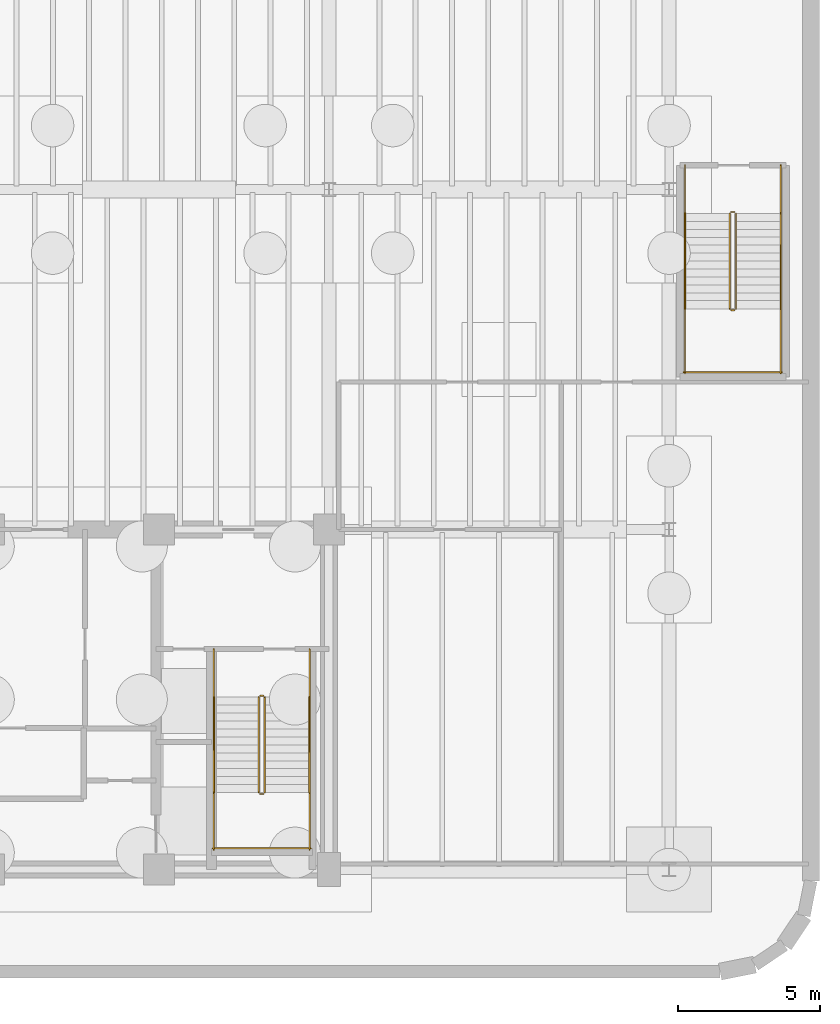
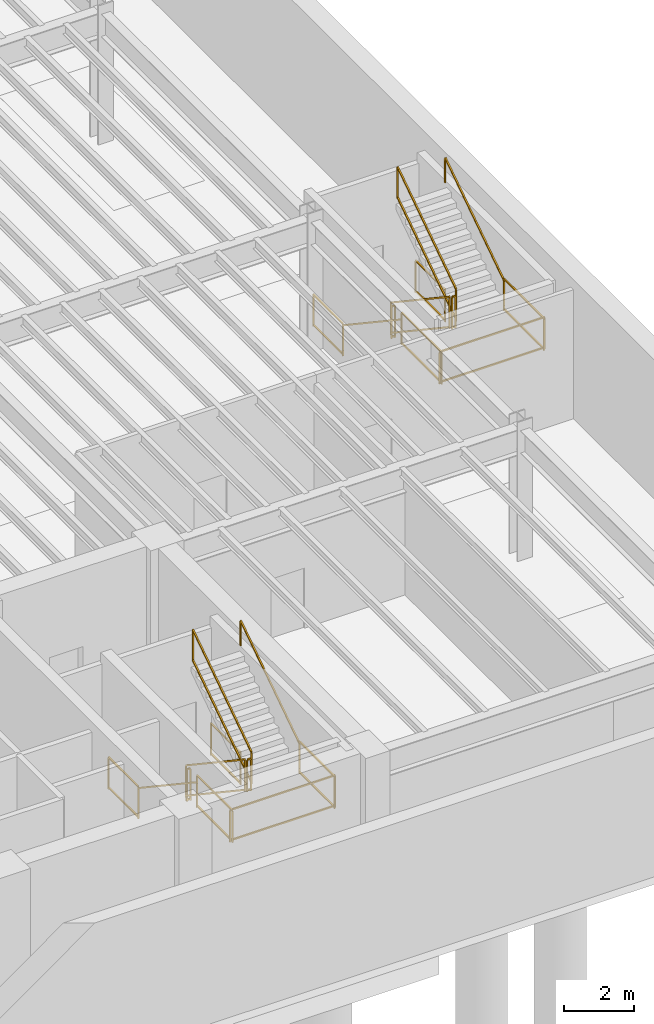
# One storey, part 8 of 9: 22 railings.
"""IFC4 building model written with IfcOpenShell, lengths in metres."""

from ifc_helpers import new_model, si_unit, direction, frame, origin, origin_2d, place, context, subcontext, project, spatial, rectangle, extrude, material, layer, layer_set, type_object, element, save


model = new_model("IFC4")

# Units and contexts
model_context = context("Model", 3, precision=1e-05, world=origin(), true_north=direction((0.0, 1.0)))
body_context = subcontext(model_context, "Body", "Model", "MODEL_VIEW")
ifc_project = project(units=[si_unit("LENGTHUNIT", "METRE"), si_unit("AREAUNIT", "SQUARE_METRE"), si_unit("VOLUMEUNIT", "CUBIC_METRE"), si_unit("PLANEANGLEUNIT", "RADIAN"), si_unit("MASSUNIT", "GRAM", prefix="KILO")], contexts=[model_context])

# Site, building, storey
site_placement = place(None, origin())
site = spatial("IfcSite", under=ifc_project, at=site_placement, CompositionType="ELEMENT")
building_placement = place(site_placement, origin())
building = spatial("IfcBuilding", under=site, at=building_placement, Name="Brelvock Crest Care Tower", CompositionType="ELEMENT")
storey_placement = place(building_placement, frame((0.0, 0.0, -4.860107421875)))
storey = spatial("IfcBuildingStorey", under=building, at=storey_placement, Name="B1", CompositionType="ELEMENT", Elevation=-4.860107421875)

# Railings
ifc_material = material(Name="Steel Grade 350", Category="steel")
ifc_layer_1 = layer(ifc_material, 0.050048828125, Name="RL-STG1")
ifc_layer_set_1 = layer_set([ifc_layer_1], Name="Steel Grade 350")
railing_type_1 = type_object("IfcRailingType", Name="RL-STG1", PredefinedType="GUARDRAIL", material=ifc_layer_set_1)
railing_1_placement = place(storey_placement, frame((45.52001953125, 12.080078125, 0.18701171875)))
element("IfcRailing", 1, at=railing_1_placement, inside=storey, type_object=railing_type_1, Name="B1 ST-2 stair guard 1", PredefinedType="GUARDRAIL", context=body_context, shape_type="SweptSolid", body=[
    extrude(rectangle(XDim=0.048095703125, YDim=0.048095703125, at=origin_2d()), frame((0.0, -0.001708984375, 1.116943359375), z_axis=(0.0, -0.831696843039, 0.555230007545), x_axis=(1.0, 0.0, 0.0)), (0.0, 0.0, 1.0), 4.0361328125),
    extrude(rectangle(XDim=0.048095703125, YDim=0.048095703125, at=origin_2d()), frame((0.0, -0.001708984375, 0.05615234375), z_axis=(0.0, -0.831696843039, 0.555230007545), x_axis=(1.0, 0.0, 0.0)), (0.0, 0.0, 1.0), 4.0361328125),
    extrude(rectangle(XDim=0.0419921875, YDim=0.0419921875, at=origin_2d()), origin(), (0.0, 0.0, 1.0), 1.08984375),
    extrude(rectangle(XDim=0.0419921875, YDim=0.0419921875, at=origin_2d()), frame((0.0, -3.360107421875, 2.2431640625)), (0.0, 0.0, 1.0), 1.08984375),
])
railing_2_placement = place(storey_placement, frame((45.570068359375, 8.669921875, 2.43017578125)))
element("IfcRailing", 2, at=railing_2_placement, inside=storey, type_object=railing_type_1, Name="B1 ST-2 stair guard 2", PredefinedType="GUARDRAIL", context=body_context, shape_type="SweptSolid", body=[
    extrude(rectangle(XDim=0.048095703125, YDim=0.048095703125, at=origin_2d()), frame((0.001953125, 0.0, 1.11572265625), z_axis=(1.0, 0.0, 0.0), x_axis=(0.0, 1.0, 0.0)), (0.0, 0.0, 1.0), 0.115966796875),
    extrude(rectangle(XDim=0.048095703125, YDim=0.048095703125, at=origin_2d()), frame((0.001953125, 0.0, 0.054931640625), z_axis=(1.0, 0.0, 0.0), x_axis=(0.0, 1.0, 0.0)), (0.0, 0.0, 1.0), 0.115966796875),
    extrude(rectangle(XDim=0.0419921875, YDim=0.0419921875, at=origin_2d()), origin(), (0.0, 0.0, 1.0), 1.08984375),
    extrude(rectangle(XDim=0.0419921875, YDim=0.0419921875, at=origin_2d()), frame((0.119873046875, 0.0, 0.0)), (0.0, 0.0, 1.0), 1.08984375),
])
for number, where, name in (
    (3, (43.93994140625, 8.719970703125, 2.43017578125), "B1 ST-2 stair guard 3"),
    (4, (47.320068359375, 8.719970703125, 2.43017578125), "B1 ST-2 stair guard 4"),
):
    element("IfcRailing", number, at=place(storey_placement, frame(where)), inside=storey, type_object=railing_type_1, Name=name, PredefinedType="GUARDRAIL", context=body_context, shape_type="SweptSolid", body=[
        extrude(rectangle(XDim=0.048095703125, YDim=0.048095703125, at=origin_2d()), frame((0.0, -0.001953125, 1.11572265625), z_axis=(0.0, -1.0, 0.0), x_axis=(1.0, 0.0, 0.0)), (0.0, 0.0, 1.0), 2.01611328125),
        extrude(rectangle(XDim=0.048095703125, YDim=0.048095703125, at=origin_2d()), frame((0.0, -0.001953125, 0.054931640625), z_axis=(0.0, -1.0, 0.0), x_axis=(1.0, 0.0, 0.0)), (0.0, 0.0, 1.0), 2.01611328125),
        extrude(rectangle(XDim=0.0419921875, YDim=0.0419921875, at=origin_2d()), origin(), (0.0, 0.0, 1.0), 1.08984375),
        extrude(rectangle(XDim=0.0419921875, YDim=0.0419921875, at=origin_2d()), frame((0.0, -2.02001953125, 0.0)), (0.0, 0.0, 1.0), 1.08984375),
    ])
railing_3_placement = place(storey_placement, frame((43.889892578125, 6.75, 2.43017578125)))
element("IfcRailing", 5, at=railing_3_placement, inside=storey, type_object=railing_type_1, Name="B1 ST-2 stair guard 5", PredefinedType="GUARDRAIL", context=body_context, shape_type="SweptSolid", body=[
    extrude(rectangle(XDim=0.048095703125, YDim=0.048095703125, at=origin_2d()), frame((0.001953125, 0.0, 1.11572265625), z_axis=(1.0, 0.0, 0.0), x_axis=(0.0, 1.0, 0.0)), (0.0, 0.0, 1.0), 3.476318359375),
    extrude(rectangle(XDim=0.048095703125, YDim=0.048095703125, at=origin_2d()), frame((0.001953125, 0.0, 0.054931640625), z_axis=(1.0, 0.0, 0.0), x_axis=(0.0, 1.0, 0.0)), (0.0, 0.0, 1.0), 3.476318359375),
    extrude(rectangle(XDim=0.0419921875, YDim=0.0419921875, at=origin_2d()), origin(), (0.0, 0.0, 1.0), 1.08984375),
    extrude(rectangle(XDim=0.0419921875, YDim=0.0419921875, at=origin_2d()), frame((3.480224609375, 0.0, 0.0)), (0.0, 0.0, 1.0), 1.08984375),
])
railing_4_placement = place(storey_placement, frame((45.739990234375, 8.719970703125, 2.616943359375)))
element("IfcRailing", 6, at=railing_4_placement, inside=storey, type_object=railing_type_1, Name="B1 ST-2 stair guard 6", PredefinedType="GUARDRAIL", context=body_context, shape_type="SweptSolid", body=[
    extrude(rectangle(XDim=0.048095703125, YDim=0.048095703125, at=origin_2d()), frame((0.0, 0.001708984375, 1.116943359375), z_axis=(0.0, 0.831696843039, 0.555230007545), x_axis=(-1.0, 0.0, 0.0)), (0.0, 0.0, 1.0), 4.0361328125),
    extrude(rectangle(XDim=0.048095703125, YDim=0.048095703125, at=origin_2d()), frame((0.0, 0.001708984375, 0.05615234375), z_axis=(0.0, 0.831696843039, 0.555230007545), x_axis=(-1.0, 0.0, 0.0)), (0.0, 0.0, 1.0), 4.0361328125),
    extrude(rectangle(XDim=0.0419921875, YDim=0.0419921875, at=origin_2d()), origin(), (0.0, 0.0, 1.0), 1.08984375),
    extrude(rectangle(XDim=0.0419921875, YDim=0.0419921875, at=origin_2d()), frame((0.0, 3.360107421875, 2.2431640625)), (0.0, 0.0, 1.0), 1.08984375),
])
railing_5_placement = place(storey_placement, frame((45.570068359375, 12.1298828125, 0.0)))
element("IfcRailing", 7, at=railing_5_placement, inside=storey, type_object=railing_type_1, Name="B1 ST-2 stair guard 7", PredefinedType="GUARDRAIL", context=body_context, shape_type="SweptSolid", body=[
    extrude(rectangle(XDim=0.048095703125, YDim=0.048095703125, at=origin_2d()), frame((0.001953125, 0.0, 1.11572265625), z_axis=(1.0, 0.0, 0.0), x_axis=(0.0, 1.0, 0.0)), (0.0, 0.0, 1.0), 0.115966796875),
    extrude(rectangle(XDim=0.048095703125, YDim=0.048095703125, at=origin_2d()), frame((0.001953125, 0.0, 0.054931640625), z_axis=(1.0, 0.0, 0.0), x_axis=(0.0, 1.0, 0.0)), (0.0, 0.0, 1.0), 0.115966796875),
    extrude(rectangle(XDim=0.0419921875, YDim=0.0419921875, at=origin_2d()), origin(), (0.0, 0.0, 1.0), 1.08984375),
    extrude(rectangle(XDim=0.0419921875, YDim=0.0419921875, at=origin_2d()), frame((0.119873046875, 0.0, 0.0)), (0.0, 0.0, 1.0), 1.08984375),
])
for number, where, name in (
    (8, (43.93994140625, 13.780029296875, 0.0), "B1 ST-2 stair guard 8"),
    (9, (47.320068359375, 13.780029296875, 0.0), "B1 ST-2 stair guard 9"),
):
    element("IfcRailing", number, at=place(storey_placement, frame(where)), inside=storey, type_object=railing_type_1, Name=name, PredefinedType="GUARDRAIL", context=body_context, shape_type="SweptSolid", body=[
        extrude(rectangle(XDim=0.048095703125, YDim=0.048095703125, at=origin_2d()), frame((0.0, -0.001953125, 1.11572265625), z_axis=(0.0, -1.0, 0.0), x_axis=(1.0, 0.0, 0.0)), (0.0, 0.0, 1.0), 1.696044921875),
        extrude(rectangle(XDim=0.048095703125, YDim=0.048095703125, at=origin_2d()), frame((0.0, -0.001953125, 0.054931640625), z_axis=(0.0, -1.0, 0.0), x_axis=(1.0, 0.0, 0.0)), (0.0, 0.0, 1.0), 1.696044921875),
        extrude(rectangle(XDim=0.0419921875, YDim=0.0419921875, at=origin_2d()), origin(), (0.0, 0.0, 1.0), 1.08984375),
        extrude(rectangle(XDim=0.0419921875, YDim=0.0419921875, at=origin_2d()), frame((0.0, -1.699951171875, 0.0)), (0.0, 0.0, 1.0), 1.08984375),
    ])
railing_6_placement = place(storey_placement, frame((62.139892578125, 29.14990234375, 0.18701171875)))
element("IfcRailing", 10, at=railing_6_placement, inside=storey, type_object=railing_type_1, Name="B1 ST-4 stair guard 1", PredefinedType="GUARDRAIL", context=body_context, shape_type="SweptSolid", body=[
    extrude(rectangle(XDim=0.048095703125, YDim=0.048095703125, at=origin_2d()), frame((0.0, -0.001708984375, 1.116943359375), z_axis=(0.0, -0.83167821228, 0.555257914143), x_axis=(1.0, 0.0, 0.0)), (0.0, 0.0, 1.0), 4.035888671875),
    extrude(rectangle(XDim=0.048095703125, YDim=0.048095703125, at=origin_2d()), frame((0.0, -0.001708984375, 0.05615234375), z_axis=(0.0, -0.83167821228, 0.555257914143), x_axis=(1.0, 0.0, 0.0)), (0.0, 0.0, 1.0), 4.035888671875),
    extrude(rectangle(XDim=0.0419921875, YDim=0.0419921875, at=origin_2d()), origin(), (0.0, 0.0, 1.0), 1.08984375),
    extrude(rectangle(XDim=0.0419921875, YDim=0.0419921875, at=origin_2d()), frame((0.0, -3.35986328125, 2.2431640625)), (0.0, 0.0, 1.0), 1.08984375),
])
railing_7_placement = place(storey_placement, frame((62.18994140625, 25.739990234375, 2.43017578125)))
element("IfcRailing", 11, at=railing_7_placement, inside=storey, type_object=railing_type_1, Name="B1 ST-4 stair guard 2", PredefinedType="GUARDRAIL", context=body_context, shape_type="SweptSolid", body=[
    extrude(rectangle(XDim=0.048095703125, YDim=0.048095703125, at=origin_2d()), frame((0.001953125, 0.0, 1.11572265625), z_axis=(1.0, 0.0, 0.0), x_axis=(0.0, 1.0, 0.0)), (0.0, 0.0, 1.0), 0.1162109375),
    extrude(rectangle(XDim=0.048095703125, YDim=0.048095703125, at=origin_2d()), frame((0.001953125, 0.0, 0.054931640625), z_axis=(1.0, 0.0, 0.0), x_axis=(0.0, 1.0, 0.0)), (0.0, 0.0, 1.0), 0.1162109375),
    extrude(rectangle(XDim=0.0419921875, YDim=0.0419921875, at=origin_2d()), origin(), (0.0, 0.0, 1.0), 1.08984375),
    extrude(rectangle(XDim=0.0419921875, YDim=0.0419921875, at=origin_2d()), frame((0.1201171875, 0.0, 0.0)), (0.0, 0.0, 1.0), 1.08984375),
])
for number, where, name in (
    (12, (60.56005859375, 25.7900390625, 2.43017578125), "B1 ST-4 stair guard 3"),
    (13, (63.93994140625, 25.7900390625, 2.43017578125), "B1 ST-4 stair guard 4"),
):
    element("IfcRailing", number, at=place(storey_placement, frame(where)), inside=storey, type_object=railing_type_1, Name=name, PredefinedType="GUARDRAIL", context=body_context, shape_type="SweptSolid", body=[
        extrude(rectangle(XDim=0.048095703125, YDim=0.048095703125, at=origin_2d()), frame((0.0, -0.001953125, 1.11572265625), z_axis=(0.0, -1.0, 0.0), x_axis=(1.0, 0.0, 0.0)), (0.0, 0.0, 1.0), 2.2861328125),
        extrude(rectangle(XDim=0.048095703125, YDim=0.048095703125, at=origin_2d()), frame((0.0, -0.001953125, 0.054931640625), z_axis=(0.0, -1.0, 0.0), x_axis=(1.0, 0.0, 0.0)), (0.0, 0.0, 1.0), 2.2861328125),
        extrude(rectangle(XDim=0.0419921875, YDim=0.0419921875, at=origin_2d()), origin(), (0.0, 0.0, 1.0), 1.08984375),
        extrude(rectangle(XDim=0.0419921875, YDim=0.0419921875, at=origin_2d()), frame((0.0, -2.2900390625, 0.0)), (0.0, 0.0, 1.0), 1.08984375),
    ])
railing_8_placement = place(storey_placement, frame((60.510009765625, 23.550048828125, 2.43017578125)))
element("IfcRailing", 14, at=railing_8_placement, inside=storey, type_object=railing_type_1, Name="B1 ST-4 stair guard 5", PredefinedType="GUARDRAIL", context=body_context, shape_type="SweptSolid", body=[
    extrude(rectangle(XDim=0.048095703125, YDim=0.048095703125, at=origin_2d()), frame((0.001953125, 0.0, 1.11572265625), z_axis=(1.0, 0.0, 0.0), x_axis=(0.0, 1.0, 0.0)), (0.0, 0.0, 1.0), 3.47607421875),
    extrude(rectangle(XDim=0.048095703125, YDim=0.048095703125, at=origin_2d()), frame((0.001953125, 0.0, 0.054931640625), z_axis=(1.0, 0.0, 0.0), x_axis=(0.0, 1.0, 0.0)), (0.0, 0.0, 1.0), 3.47607421875),
    extrude(rectangle(XDim=0.0419921875, YDim=0.0419921875, at=origin_2d()), origin(), (0.0, 0.0, 1.0), 1.08984375),
    extrude(rectangle(XDim=0.0419921875, YDim=0.0419921875, at=origin_2d()), frame((3.47998046875, 0.0, 0.0)), (0.0, 0.0, 1.0), 1.08984375),
])
railing_9_placement = place(storey_placement, frame((62.360107421875, 25.7900390625, 2.616943359375)))
element("IfcRailing", 15, at=railing_9_placement, inside=storey, type_object=railing_type_1, Name="B1 ST-4 stair guard 6", PredefinedType="GUARDRAIL", context=body_context, shape_type="SweptSolid", body=[
    extrude(rectangle(XDim=0.048095703125, YDim=0.048095703125, at=origin_2d()), frame((0.0, 0.001708984375, 1.116943359375), z_axis=(0.0, 0.83167821228, 0.555257914143), x_axis=(-1.0, 0.0, 0.0)), (0.0, 0.0, 1.0), 4.035888671875),
    extrude(rectangle(XDim=0.048095703125, YDim=0.048095703125, at=origin_2d()), frame((0.0, 0.001708984375, 0.05615234375), z_axis=(0.0, 0.83167821228, 0.555257914143), x_axis=(-1.0, 0.0, 0.0)), (0.0, 0.0, 1.0), 4.035888671875),
    extrude(rectangle(XDim=0.0419921875, YDim=0.0419921875, at=origin_2d()), origin(), (0.0, 0.0, 1.0), 1.08984375),
    extrude(rectangle(XDim=0.0419921875, YDim=0.0419921875, at=origin_2d()), frame((0.0, 3.35986328125, 2.2431640625)), (0.0, 0.0, 1.0), 1.08984375),
])
railing_10_placement = place(storey_placement, frame((62.18994140625, 29.199951171875, 0.0)))
element("IfcRailing", 16, at=railing_10_placement, inside=storey, type_object=railing_type_1, Name="B1 ST-4 stair guard 7", PredefinedType="GUARDRAIL", context=body_context, shape_type="SweptSolid", body=[
    extrude(rectangle(XDim=0.048095703125, YDim=0.048095703125, at=origin_2d()), frame((0.001953125, 0.0, 1.11572265625), z_axis=(1.0, 0.0, 0.0), x_axis=(0.0, 1.0, 0.0)), (0.0, 0.0, 1.0), 0.1162109375),
    extrude(rectangle(XDim=0.048095703125, YDim=0.048095703125, at=origin_2d()), frame((0.001953125, 0.0, 0.054931640625), z_axis=(1.0, 0.0, 0.0), x_axis=(0.0, 1.0, 0.0)), (0.0, 0.0, 1.0), 0.1162109375),
    extrude(rectangle(XDim=0.0419921875, YDim=0.0419921875, at=origin_2d()), origin(), (0.0, 0.0, 1.0), 1.08984375),
    extrude(rectangle(XDim=0.0419921875, YDim=0.0419921875, at=origin_2d()), frame((0.1201171875, 0.0, 0.0)), (0.0, 0.0, 1.0), 1.08984375),
])
for number, where, name in (
    (17, (60.56005859375, 30.85009765625, 0.0), "B1 ST-4 stair guard 8"),
    (18, (63.93994140625, 30.85009765625, 0.0), "B1 ST-4 stair guard 9"),
):
    element("IfcRailing", number, at=place(storey_placement, frame(where)), inside=storey, type_object=railing_type_1, Name=name, PredefinedType="GUARDRAIL", context=body_context, shape_type="SweptSolid", body=[
        extrude(rectangle(XDim=0.048095703125, YDim=0.048095703125, at=origin_2d()), frame((0.0, -0.001953125, 1.11572265625), z_axis=(0.0, -1.0, 0.0), x_axis=(1.0, 0.0, 0.0)), (0.0, 0.0, 1.0), 1.6962890625),
        extrude(rectangle(XDim=0.048095703125, YDim=0.048095703125, at=origin_2d()), frame((0.0, -0.001953125, 0.054931640625), z_axis=(0.0, -1.0, 0.0), x_axis=(1.0, 0.0, 0.0)), (0.0, 0.0, 1.0), 1.6962890625),
        extrude(rectangle(XDim=0.0419921875, YDim=0.0419921875, at=origin_2d()), origin(), (0.0, 0.0, 1.0), 1.08984375),
        extrude(rectangle(XDim=0.0419921875, YDim=0.0419921875, at=origin_2d()), frame((0.0, -1.7001953125, 0.0)), (0.0, 0.0, 1.0), 1.08984375),
    ])
ifc_layer_2 = layer(ifc_material, 0.048095703125, Name="RL-STH1")
ifc_layer_set_2 = layer_set([ifc_layer_2], Name="Steel Grade 350")
railing_type_2 = type_object("IfcRailingType", Name="RL-STH1", PredefinedType="HANDRAIL", material=ifc_layer_set_2)
railing_11_placement = place(storey_placement, frame((43.93994140625, 12.080078125, 0.18701171875)))
element("IfcRailing", 19, at=railing_11_placement, inside=storey, type_object=railing_type_2, Name="B1 ST-2 stair handrail 1", PredefinedType="HANDRAIL", context=body_context, shape_type="SweptSolid", body=[
    extrude(rectangle(XDim=0.048095703125, YDim=0.048095703125, at=origin_2d()), frame((0.0, -0.001708984375, 0.876953125), z_axis=(0.0, -0.831696843039, 0.555230007545), x_axis=(1.0, 0.0, 0.0)), (0.0, 0.0, 1.0), 4.0361328125),
    extrude(rectangle(XDim=0.0419921875, YDim=0.0419921875, at=origin_2d()), origin(), (0.0, 0.0, 1.0), 0.849853515625),
    extrude(rectangle(XDim=0.0419921875, YDim=0.0419921875, at=origin_2d()), frame((0.0, -3.360107421875, 2.2431640625)), (0.0, 0.0, 1.0), 0.849853515625),
])
railing_12_placement = place(storey_placement, frame((47.320068359375, 8.719970703125, 2.616943359375)))
element("IfcRailing", 20, at=railing_12_placement, inside=storey, type_object=railing_type_2, Name="B1 ST-2 stair handrail 2", PredefinedType="HANDRAIL", context=body_context, shape_type="SweptSolid", body=[
    extrude(rectangle(XDim=0.048095703125, YDim=0.048095703125, at=origin_2d()), frame((0.0, 0.001708984375, 0.876953125), z_axis=(0.0, 0.831696843039, 0.555230007545), x_axis=(-1.0, 0.0, 0.0)), (0.0, 0.0, 1.0), 4.0361328125),
    extrude(rectangle(XDim=0.0419921875, YDim=0.0419921875, at=origin_2d()), origin(), (0.0, 0.0, 1.0), 0.849853515625),
    extrude(rectangle(XDim=0.0419921875, YDim=0.0419921875, at=origin_2d()), frame((0.0, 3.360107421875, 2.2431640625)), (0.0, 0.0, 1.0), 0.849853515625),
])
railing_13_placement = place(storey_placement, frame((60.56005859375, 29.14990234375, 0.18701171875)))
element("IfcRailing", 21, at=railing_13_placement, inside=storey, type_object=railing_type_2, Name="B1 ST-4 stair handrail 1", PredefinedType="HANDRAIL", context=body_context, shape_type="SweptSolid", body=[
    extrude(rectangle(XDim=0.048095703125, YDim=0.048095703125, at=origin_2d()), frame((0.0, -0.001708984375, 0.876953125), z_axis=(0.0, -0.83167821228, 0.555257914143), x_axis=(1.0, 0.0, 0.0)), (0.0, 0.0, 1.0), 4.035888671875),
    extrude(rectangle(XDim=0.0419921875, YDim=0.0419921875, at=origin_2d()), origin(), (0.0, 0.0, 1.0), 0.849853515625),
    extrude(rectangle(XDim=0.0419921875, YDim=0.0419921875, at=origin_2d()), frame((0.0, -3.35986328125, 2.2431640625)), (0.0, 0.0, 1.0), 0.849853515625),
])
railing_14_placement = place(storey_placement, frame((63.93994140625, 25.7900390625, 2.616943359375)))
element("IfcRailing", 22, at=railing_14_placement, inside=storey, type_object=railing_type_2, Name="B1 ST-4 stair handrail 2", PredefinedType="HANDRAIL", context=body_context, shape_type="SweptSolid", body=[
    extrude(rectangle(XDim=0.048095703125, YDim=0.048095703125, at=origin_2d()), frame((0.0, 0.001708984375, 0.876953125), z_axis=(0.0, 0.83167821228, 0.555257914143), x_axis=(-1.0, 0.0, 0.0)), (0.0, 0.0, 1.0), 4.035888671875),
    extrude(rectangle(XDim=0.0419921875, YDim=0.0419921875, at=origin_2d()), origin(), (0.0, 0.0, 1.0), 0.849853515625),
    extrude(rectangle(XDim=0.0419921875, YDim=0.0419921875, at=origin_2d()), frame((0.0, 3.35986328125, 2.2431640625)), (0.0, 0.0, 1.0), 0.849853515625),
])

save(model, "model.ifc")
